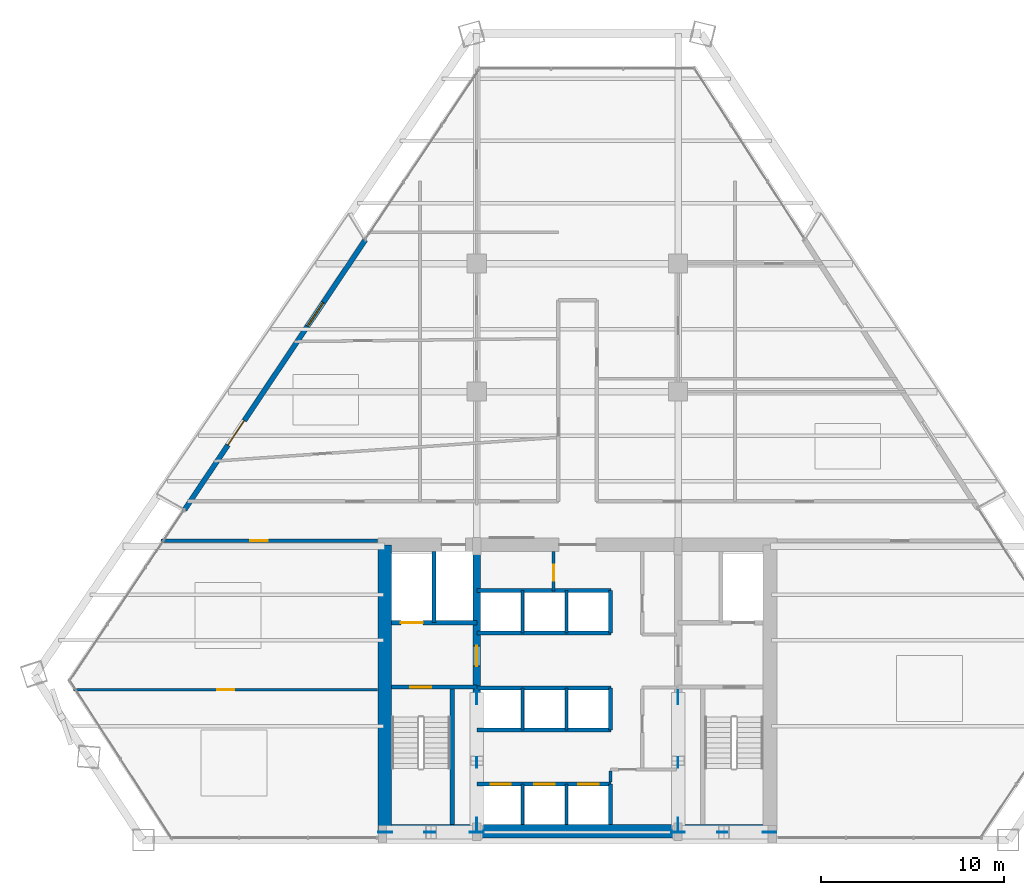
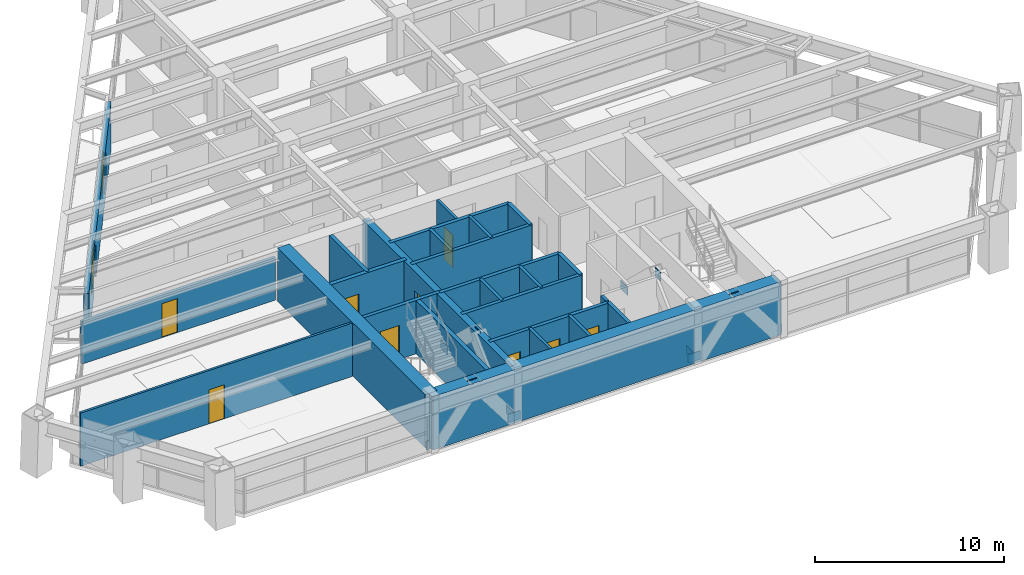
# One storey, part 10 of 14: 26 walls, 12 plates, 10 doors, 1 window, 11 openings.
"""IFC4 building model written with IfcOpenShell, lengths in metres."""

import ifcopenshell
import ifcopenshell.guid

model = None  # the IFC model being written
_history = None  # IfcOwnerHistory: only IFC2X3 demands one
_inside = {}  # id of a spatial element -> (the spatial element, [elements in it])
_under = {}  # id of a project, library or spatial element -> (it, [spatial elements below it])
_declared = {}  # id of a project -> (the project, [libraries it declares])
_typed = {}  # id of a type object -> (the type object, [elements of that type])
_made_of = {}  # id of a material, layer set ... -> (it, [elements and type objects made of it])


def new_model(schema):
    """Start an empty IFC model of exactly this schema.

    Asked for "IFC4X3", IfcOpenShell would pick the latest addendum, in which some entities
    have other attributes; the version numbers below select the first issue.
    IFC2X3 requires an IfcOwnerHistory on every rooted entity: one is made here for all.
    """
    global model, _history
    if schema == "IFC4X3":
        model = ifcopenshell.file(schema_version=(4, 3, 0, 0))
    else:
        model = ifcopenshell.file(schema=schema)
    _inside.clear()
    _under.clear()
    _declared.clear()
    _typed.clear()
    _made_of.clear()
    _history = None
    if model.schema == "IFC2X3":
        org = make("IfcOrganization", Name="unknown")
        user = make(
            "IfcPersonAndOrganization",
            ThePerson=make("IfcPerson", FamilyName="unknown"),
            TheOrganization=org,
        )
        app = make(
            "IfcApplication",
            ApplicationDeveloper=org,
            Version="unknown",
            ApplicationFullName="unknown",
            ApplicationIdentifier="unknown",
        )
        _history = make(
            "IfcOwnerHistory",
            OwningUser=user,
            OwningApplication=app,
            ChangeAction="ADDED",
            CreationDate=0,
        )
    return model


def make(cls, **values):
    """One entity of the class cls with the attributes given. An attribute that is None is left unset."""
    return model.create_entity(
        cls, **{name: value for name, value in values.items() if value is not None}
    )


def rooted(cls, **values):
    """An entity with a GlobalId (a new one), such as an element, a storey or a relation."""
    return make(cls, GlobalId=ifcopenshell.guid.new(), OwnerHistory=_history, **values)


def si_unit(unit_type, name, prefix=None):
    """IfcSIUnit, for example si_unit("LENGTHUNIT", "METRE", prefix="MILLI")."""
    return make("IfcSIUnit", UnitType=unit_type, Prefix=prefix, Name=name)


def assignment(units):
    """IfcUnitAssignment: the units of a project."""
    return None if units is None else make("IfcUnitAssignment", Units=units)


def point(xyz):
    """IfcCartesianPoint."""
    return None if xyz is None else make("IfcCartesianPoint", Coordinates=xyz)


def direction(xyz):
    """IfcDirection."""
    return None if xyz is None else make("IfcDirection", DirectionRatios=xyz)


def frame(location, z_axis=None, x_axis=None):
    """IfcAxis2Placement3D, a coordinate frame: its origin and axes. An axis left out is left unset."""
    return make(
        "IfcAxis2Placement3D",
        Location=point(location),
        Axis=direction(z_axis),
        RefDirection=direction(x_axis),
    )


def frame_2d(location, x_axis=None):
    """IfcAxis2Placement2D, a coordinate frame in the plane: its origin and x axis."""
    return make(
        "IfcAxis2Placement2D", Location=point(location), RefDirection=direction(x_axis)
    )


def origin():
    """The frame at (0, 0, 0) with its axes left unset."""
    return frame((0.0, 0.0, 0.0))


def origin_2d():
    """The frame at (0, 0) in the plane with its x axis left unset."""
    return frame_2d((0.0, 0.0))


def place(relative_to, where):
    """IfcLocalPlacement: puts the frame where relative to a parent placement (None: the world)."""
    return make(
        "IfcLocalPlacement", PlacementRelTo=relative_to, RelativePlacement=where
    )


def context(
    kind, dimensions, precision=None, world=None, true_north=None, identifier=None
):
    """IfcGeometricRepresentationContext, for example the 3D "Model" context."""
    return make(
        "IfcGeometricRepresentationContext",
        ContextIdentifier=identifier,
        ContextType=kind,
        CoordinateSpaceDimension=dimensions,
        Precision=precision,
        WorldCoordinateSystem=world,
        TrueNorth=true_north,
    )


def subcontext(parent, identifier, kind, view, scale=None):
    """IfcGeometricRepresentationSubContext, for example "Body" below "Model"."""
    return make(
        "IfcGeometricRepresentationSubContext",
        ContextIdentifier=identifier,
        ContextType=kind,
        ParentContext=parent,
        TargetScale=scale,
        TargetView=view,
    )


def project(units=None, contexts=None):
    """IfcProject with its units and contexts."""
    return rooted(
        "IfcProject",
        Name="project",
        RepresentationContexts=contexts,
        UnitsInContext=assignment(units),
    )


def spatial(cls, under=None, at=None, **own):
    """A site, building, storey or space (cls), placed at a placement, below another one or the project."""
    s = rooted(cls, ObjectPlacement=at, **own)
    if under is not None:
        _under.setdefault(under.id(), (under, []))[1].append(s)
    return s


def profile(cls, at=None, kind="AREA", **sizes):
    """A parametric profile (cls). Its sizes go by their IFC names, for example OverallWidth=200.0."""
    return make(cls, ProfileType=kind, Position=at, **sizes)


def rectangle(**sizes):
    """IfcRectangleProfileDef."""
    return profile("IfcRectangleProfileDef", **sizes)


def extrude(swept, where, along, depth):
    """IfcExtrudedAreaSolid: the profile swept, set in the frame where, extruded along a direction by depth."""
    return make(
        "IfcExtrudedAreaSolid",
        SweptArea=swept,
        Position=where,
        ExtrudedDirection=direction(along),
        Depth=depth,
    )


def shape(context_of_items, identifier, shape_type, items):
    """IfcShapeRepresentation: the items that make up one representation, for example the "Body"."""
    return make(
        "IfcShapeRepresentation",
        ContextOfItems=context_of_items,
        RepresentationIdentifier=identifier,
        RepresentationType=shape_type,
        Items=items,
    )


def source(mapping_origin, context_of_items, identifier, shape_type, items):
    """IfcRepresentationMap: a shape defined once, which mapped items show again and again."""
    return make(
        "IfcRepresentationMap",
        MappingOrigin=mapping_origin,
        MappedRepresentation=shape(context_of_items, identifier, shape_type, items),
    )


def transform(
    local_origin,
    x_axis=None,
    y_axis=None,
    z_axis=None,
    scale=None,
    scale2=None,
    scale3=None,
    uniform=True,
):
    """IfcCartesianTransformationOperator3D, or its non-uniform kind. x_axis, y_axis, z_axis: its Axis1, 2, 3."""
    if uniform:
        return make(
            "IfcCartesianTransformationOperator3D",
            Axis1=direction(x_axis),
            Axis2=direction(y_axis),
            LocalOrigin=point(local_origin),
            Scale=scale,
            Axis3=direction(z_axis),
        )
    return make(
        "IfcCartesianTransformationOperator3DnonUniform",
        Axis1=direction(x_axis),
        Axis2=direction(y_axis),
        LocalOrigin=point(local_origin),
        Scale=scale,
        Axis3=direction(z_axis),
        Scale2=scale2,
        Scale3=scale3,
    )


def mapped(mapping_source, mapping_target):
    """IfcMappedItem: shows the shape of a source again, moved by a transform."""
    return make(
        "IfcMappedItem", MappingSource=mapping_source, MappingTarget=mapping_target
    )


def material(Name=None, Category=None):
    """IfcMaterial."""
    return make("IfcMaterial", Name=Name, Category=Category)


def layer(
    of_material, thickness, ventilated=None, Name=None, Category=None, Priority=None
):
    """IfcMaterialLayer: one layer of a wall or slab, of a material (None: an air gap)."""
    return make(
        "IfcMaterialLayer",
        Material=of_material,
        LayerThickness=thickness,
        IsVentilated=ventilated,
        Name=Name,
        Category=Category,
        Priority=Priority,
    )


def layer_set(layers, Name=None):
    """IfcMaterialLayerSet."""
    return make("IfcMaterialLayerSet", MaterialLayers=layers, LayerSetName=Name)


def made_of(thing, what):
    """Note that an element or type object is made of a material, layer set ...; save() writes the relation."""
    if what is not None:
        _made_of.setdefault(what.id(), (what, []))[1].append(thing)
    return thing


def type_object(cls, material=None, **own):
    """A type object (cls), such as IfcWallType, which elements share."""
    return made_of(rooted(cls, **own), material)


def type_shapes(of_type, sources):
    """Give a type object the sources (RepresentationMaps) that its elements show as mapped items."""
    of_type.RepresentationMaps = sources


def element(
    cls,
    number,
    at=None,
    inside=None,
    cuts=None,
    type_object=None,
    material=None,
    context=None,
    identifier="Body",
    shape_type=None,
    held_by="IfcProductDefinitionShape",
    body=None,
    shapes=None,
    **own,
):
    """One element of the class cls, such as IfcWall. Its Tag is "e" and its number.

    at: its placement. inside: the storey or other place that contains it. cuts: it is an
    opening in that element (IfcRelVoidsElement). A single representation is given by context,
    identifier, shape_type and body (its items); several are given by shapes. held_by: the class
    of the entity that holds the representations. save() writes the other relations.
    """
    e = rooted(cls, Tag="e%d" % number, ObjectPlacement=at, **own)
    if body is not None:
        shapes = [shape(context, identifier, shape_type, body)]
    if shapes is not None:
        e.Representation = make(held_by, Representations=shapes)
    if inside is not None:
        _inside.setdefault(inside.id(), (inside, []))[1].append(e)
    if cuts is not None:
        rooted(
            "IfcRelVoidsElement", RelatingBuildingElement=cuts, RelatedOpeningElement=e
        )
    if type_object is not None:
        _typed.setdefault(type_object.id(), (type_object, []))[1].append(e)
    return made_of(e, material)


def fill(opening, filler):
    """IfcRelFillsElement: the door or window that sits in an opening."""
    return rooted(
        "IfcRelFillsElement",
        RelatingOpeningElement=opening,
        RelatedBuildingElement=filler,
    )


def aggregate(whole, parts):
    """IfcRelAggregates: a whole, such as a stair, and the parts it consists of."""
    return rooted("IfcRelAggregates", RelatingObject=whole, RelatedObjects=parts)


def save(model, path):
    """Write the relations noted so far, then the file.

    IfcRelAggregates (storeys below a building ...), IfcRelContainedInSpatialStructure (elements
    in a storey), IfcRelDefinesByType, IfcRelAssociatesMaterial and IfcRelDeclares: one each for
    every whole, place, type object, material and project.
    """
    for whole, parts in _under.values():
        aggregate(whole, parts)
    for where, things in _inside.values():
        rooted(
            "IfcRelContainedInSpatialStructure",
            RelatedElements=things,
            RelatingStructure=where,
        )
    for kind, things in _typed.values():
        rooted("IfcRelDefinesByType", RelatedObjects=things, RelatingType=kind)
    for what, things in _made_of.values():
        rooted("IfcRelAssociatesMaterial", RelatedObjects=things, RelatingMaterial=what)
    for by, libraries in _declared.values():
        rooted("IfcRelDeclares", RelatingContext=by, RelatedDefinitions=libraries)
    model.write(path)


model = new_model("IFC4")

# Units and contexts
model_context = context("Model", 3, precision=1e-05, world=origin(), true_north=direction((0.0, 1.0)))
body_context = subcontext(model_context, "Body", "Model", "MODEL_VIEW")
ifc_project = project(units=[si_unit("LENGTHUNIT", "METRE"), si_unit("AREAUNIT", "SQUARE_METRE"), si_unit("VOLUMEUNIT", "CUBIC_METRE"), si_unit("PLANEANGLEUNIT", "RADIAN"), si_unit("MASSUNIT", "GRAM", prefix="KILO")], contexts=[model_context])

# Site, building, storey
site_placement = place(None, origin())
site = spatial("IfcSite", under=ifc_project, at=site_placement, CompositionType="ELEMENT")
building_placement = place(site_placement, origin())
building = spatial("IfcBuilding", under=site, at=building_placement, Name="Varnakhor Terracotta Tower", CompositionType="ELEMENT")
storey_placement = place(building_placement, frame((0.0, 0.0, 102.5)))
storey = spatial("IfcBuildingStorey", under=building, at=storey_placement, Name="L25", CompositionType="ELEMENT", Elevation=102.5)

# Plates
ifc_material_1 = material(Name="Steel S460", Category="steel")
ifc_layer_1 = layer(ifc_material_1, 0.050048828125, Name="Steel S460")
ifc_layer_set_1 = layer_set([ifc_layer_1], Name="Steel S460")
plate_type = type_object("IfcPlateType", Name="PLT-GUSSET-50", PredefinedType="USERDEFINED", material=ifc_layer_set_1)
shared_shape_1 = source(origin(), body_context, "Body", "SweptSolid", [
    extrude(rectangle(XDim=0.75, YDim=0.0400390625, at=origin_2d()), origin(), (0.0, 0.0, 1.0), 0.550048828125),
])
type_shapes(plate_type, [shared_shape_1])
for number, where, z_axis, x_axis, name in (
    (1, (-10.5, 0.419921875, -0.09521484375), (0.0, 0.0, 1.0), (1.0, 0.0, 0.0), "L25 Core Brace Embed Plate CSWA"),
    (2, (-5.5, 0.419921875, -0.09521484375), (0.0, 0.0, 1.0), (1.0, 0.0, 0.0), "L25 Core Brace Embed Plate CSWB"),
    (3, (5.5, 0.419921875, -0.09521484375), (0.0, 0.0, 1.0), (1.0, 0.0, 0.0), "L25 Core Brace Embed Plate CSEA"),
    (4, (10.5, 0.419921875, -0.09521484375), (0.0, 0.0, 1.0), (1.0, 0.0, 0.0), "L25 Core Brace Embed Plate CSEB"),
    (5, (-5.5, 0.85009765625, -0.09521484375), (0.0, 0.0, 1.0), (0.0, 1.0, 0.0), "L25 Core Brace Embed Plate CWWA"),
    (6, (-5.5, 7.800048828125, -0.09521484375), (0.0, 0.0, 1.0), (0.0, 1.0, 0.0), "L25 Core Brace Embed Plate CWWB"),
    (7, (5.5, 0.85009765625, -0.09521484375), (0.0, 0.0, 1.0), (0.0, 1.0, 0.0), "L25 Core Brace Embed Plate CWEA"),
    (8, (5.5, 7.800048828125, -0.09521484375), (0.0, 0.0, 1.0), (0.0, 1.0, 0.0), "L25 Core Brace Embed Plate CWEB"),
):
    element("IfcPlate", number, at=place(storey_placement, frame(where, z_axis=z_axis, x_axis=x_axis)), inside=storey, type_object=plate_type, Name=name, ObjectType="GUSSET PLATE", PredefinedType="USERDEFINED", context=body_context, shape_type="MappedRepresentation", body=[
        mapped(shared_shape_1, transform((0.0, 0.0, 0.0), scale=1.0)),
    ])
shared_shape_2 = source(origin(), body_context, "Body", "SweptSolid", [
    extrude(rectangle(XDim=0.580078125, YDim=0.0400390625, at=origin_2d()), origin(), (0.0, 0.0, 1.0), 0.580078125),
])
for number, where, z_axis, x_axis, name in (
    (9, (-8.072509765625, 0.419921875, 2.914306640625), (0.0, 0.0, 1.0), (1.0, 0.0, 0.0), "L25 Brace End Connection Plate 100"),
    (10, (7.927490234375, 0.419921875, 2.914306640625), (0.0, 0.0, 1.0), (1.0, 0.0, 0.0), "L25 Brace End Connection Plate 101"),
    (11, (-5.5, 4.238037109375, 2.92724609375), (0.0, 0.0, 1.0), (0.0, 1.0, 0.0), "L25 Brace End Connection Plate 102"),
    (12, (5.5, 4.238037109375, 2.92724609375), (0.0, 0.0, 1.0), (0.0, 1.0, 0.0), "L25 Brace End Connection Plate 103"),
):
    element("IfcPlate", number, at=place(storey_placement, frame(where, z_axis=z_axis, x_axis=x_axis)), inside=storey, type_object=plate_type, Name=name, ObjectType="GUSSET PLATE", PredefinedType="USERDEFINED", context=body_context, shape_type="MappedRepresentation", body=[
        mapped(shared_shape_2, transform((0.0, 0.0, 0.0), scale=1.0)),
    ])

# Walls
ifc_material_2 = material(Name="Concrete C60/75", Category="concrete")
ifc_layer_2 = layer(ifc_material_2, 0.75, Name="Concrete C60/75")
ifc_layer_set_2 = layer_set([ifc_layer_2], Name="Concrete C60/75")
wall_type_1 = type_object("IfcWallType", Name="WAL-CORE-750", PredefinedType="SHEAR", material=ifc_layer_set_2)
wall_1_placement = place(storey_placement, frame((-10.64990234375, 0.47509765625, 0.0), z_axis=(0.0, 0.0, 1.0), x_axis=(1.0, 0.0, 0.0)))
element("IfcWall", 13, at=wall_1_placement, inside=storey, type_object=wall_type_1, Name="L25 South Core Shear Wall", PredefinedType="SHEAR", context=body_context, shape_type="SweptSolid", body=[
    extrude(rectangle(XDim=21.2998046875, YDim=0.75, at=frame_2d((10.64990234375, 0.0))), origin(), (0.0, 0.0, 1.0), 3.449951171875),
])
wall_2_placement = place(storey_placement, frame((-10.52490234375, 0.47509765625, 0.0), z_axis=(0.0, 0.0, 1.0), x_axis=(0.0, 1.0, 0.0)))
element("IfcWall", 14, at=wall_2_placement, inside=storey, type_object=wall_type_1, Name="L25 West Core Shear Wall", PredefinedType="SHEAR", context=body_context, shape_type="SweptSolid", body=[
    extrude(rectangle(XDim=15.64990234375, YDim=0.75, at=frame_2d((7.824951171875, 0.0))), origin(), (0.0, 0.0, 1.0), 3.449951171875),
])

# Wall, opening, door
ifc_material_3 = material(Name="Concrete C50/60", Category="concrete")
ifc_layer_3 = layer(ifc_material_3, 0.39990234375, Name="Concrete C50/60")
ifc_layer_set_3 = layer_set([ifc_layer_3], Name="Concrete C50/60")
wall_type_2 = type_object("IfcWallType", Name="WAL-CORE-WEB-400", PredefinedType="SHEAR", material=ifc_layer_set_3)
wall_3_placement = place(storey_placement, frame((-5.5, 0.47509765625, 0.0), z_axis=(0.0, 0.0, 1.0), x_axis=(0.0, 1.0, 0.0)))
wall_3 = element("IfcWall", 15, at=wall_3_placement, inside=storey, type_object=wall_type_2, Name="L25 West Core Web Shear Wall", PredefinedType="SHEAR", context=body_context, shape_type="SweptSolid", body=[
    extrude(rectangle(XDim=15.64990234375, YDim=0.39990234375, at=frame_2d((7.824951171875, 0.0))), origin(), (0.0, 0.0, 1.0), 3.449951171875),
])
opening_1_placement = place(wall_3_placement, frame((9.02490234375, 0.0, 0.0)))
opening_1 = element("IfcOpeningElement", 16, at=opening_1_placement, cuts=wall_3, Name="Opening DR-25", PredefinedType="OPENING", context=body_context, shape_type="SweptSolid", body=[
    extrude(rectangle(XDim=1.10009765625, YDim=2.199951171875, at=frame_2d((0.550048828125, 1.10009765625))), frame((0.0, 0.2099609375, 0.0), z_axis=(0.0, -1.0, 0.0), x_axis=(1.0, 0.0, 0.0)), (0.0, 0.0, 1.0), 0.419921875),
])
ifc_material_4 = material(Name="Firefighting Lobby Self-Closing Fire Door", Category="steel")
door_type_1 = type_object("IfcDoorType", Name="DR-FFL-1100X2200", OperationType="NOTDEFINED", PredefinedType="DOOR", material=ifc_material_4)
shared_shape_3 = source(origin(), body_context, "Body", "SweptSolid", [
    extrude(rectangle(XDim=1.10009765625, YDim=2.199951171875, at=frame_2d((0.550048828125, 1.10009765625))), frame((0.0, 0.02490234375, 0.0), z_axis=(0.0, -1.0, 0.0), x_axis=(1.0, 0.0, 0.0)), (0.0, 0.0, 1.0), 0.050048828125),
])
type_shapes(door_type_1, [shared_shape_3])
door_1_placement = place(opening_1_placement, origin())
door_1 = element("IfcDoor", 17, at=door_1_placement, inside=storey, type_object=door_type_1, Name="L25 West Firefighting Lobby Door", OperationType="SINGLE_SWING_LEFT", OverallHeight=2.199951171875, OverallWidth=1.10009765625, PredefinedType="DOOR", context=body_context, shape_type="MappedRepresentation", body=[
    mapped(shared_shape_3, transform((0.0, 0.0, 0.0), scale=1.0)),
])
fill(opening_1, door_1)

ifc_material_5 = material(Name="Fire-Rated Gypsum Stud Partition", Category="gypsum")
ifc_layer_4 = layer(ifc_material_5, 0.18505859375, Name="Fire-Rated Gypsum Stud Partition")
ifc_layer_set_4 = layer_set([ifc_layer_4], Name="Fire-Rated Gypsum Stud Partition")
wall_type_3 = type_object("IfcWallType", Name="WAL-CORR-185", PredefinedType="PARTITIONING", material=ifc_layer_set_4)
wall_4_placement = place(storey_placement, frame((-22.76220703125, 16.35009765625, 0.0), z_axis=(0.0, 0.0, 1.0), x_axis=(1.0, 0.0, 0.0)))
wall_4 = element("IfcWall", 18, at=wall_4_placement, inside=storey, type_object=wall_type_3, Name="L25 South West Corridor Wall", PredefinedType="PARTITIONING", context=body_context, shape_type="SweptSolid", body=[
    extrude(rectangle(XDim=11.84228515625, YDim=0.18505859375, at=frame_2d((5.921142578125, 0.0))), origin(), (0.0, 0.0, 1.0), 2.7470703125),
])
opening_2_placement = place(wall_4_placement, frame((4.887939453125, 0.0, 0.0)))
opening_2 = element("IfcOpeningElement", 19, at=opening_2_placement, cuts=wall_4, Name="Opening DR-94", PredefinedType="OPENING", context=body_context, shape_type="SweptSolid", body=[
    extrude(rectangle(XDim=0.949951171875, YDim=2.199951171875, at=frame_2d((0.47509765625, 1.10009765625))), frame((0.0, 0.1025390625, 0.0), z_axis=(0.0, -1.0, 0.0), x_axis=(1.0, 0.0, 0.0)), (0.0, 0.0, 1.0), 0.205078125),
])
ifc_material_6 = material(Name="Acoustic Glazed-Vision Timber Office Door", Category="wood")
door_type_2 = type_object("IfcDoorType", Name="DR-OFF-950X2200", OperationType="NOTDEFINED", PredefinedType="DOOR", material=ifc_material_6)
shared_shape_4 = source(origin(), body_context, "Body", "SweptSolid", [
    extrude(rectangle(XDim=0.949951171875, YDim=2.199951171875, at=frame_2d((0.47509765625, 1.10009765625))), frame((0.0, 0.02490234375, 0.0), z_axis=(0.0, -1.0, 0.0), x_axis=(1.0, 0.0, 0.0)), (0.0, 0.0, 1.0), 0.050048828125),
])
type_shapes(door_type_2, [shared_shape_4])
door_2_placement = place(opening_2_placement, origin())
door_2 = element("IfcDoor", 20, at=door_2_placement, inside=storey, type_object=door_type_2, Name="L25 SW Suite Door", OperationType="SINGLE_SWING_RIGHT", OverallHeight=2.199951171875, OverallWidth=0.949951171875, PredefinedType="DOOR", context=body_context, shape_type="MappedRepresentation", body=[
    mapped(shared_shape_4, transform((0.0, 0.0, 0.0), scale=1.0)),
])
fill(opening_2, door_2)

# Wall, openings, door, window
ifc_material_7 = material(Name="Extruded Architectural Terracotta Assembly", Category="masonry")
ifc_layer_5 = layer(ifc_material_7, 0.280029296875, Name="Extruded Architectural Terracotta Assembly")
ifc_layer_set_5 = layer_set([ifc_layer_5], Name="Extruded Architectural Terracotta Assembly")
wall_type_4 = type_object("IfcWallType", Name="WAL-EXT-TERRACOTTA-280", PredefinedType="SOLIDWALL", material=ifc_layer_set_5)
wall_5_placement = place(storey_placement, frame((-21.47509765625, 18.0380859375, 0.0), z_axis=(0.0, 0.0, 1.0), x_axis=(0.556538112224, 0.830822080618, 0.0)))
wall_5 = element("IfcWall", 21, at=wall_5_placement, inside=storey, type_object=wall_type_4, Name="L25 W Loggia Insulated Terracotta Wall", PredefinedType="SOLIDWALL", context=body_context, shape_type="SweptSolid", body=[
    extrude(rectangle(XDim=17.766357421875, YDim=0.280029296875, at=frame_2d((8.88330078125, 0.0))), origin(), (0.0, 0.0, 1.0), 3.030029296875),
])
opening_3_placement = place(wall_5_placement, frame((4.263916015625, 0.0, 0.0)))
opening_3 = element("IfcOpeningElement", 22, at=opening_3_placement, cuts=wall_5, Name="Opening DR-62", PredefinedType="OPENING", context=body_context, shape_type="SweptSolid", body=[
    extrude(rectangle(XDim=1.60009765625, YDim=2.35009765625, at=frame_2d((0.800048828125, 1.175048828125))), frame((0.0, 0.14990234375, 0.0), z_axis=(0.0, -1.0, 0.0), x_axis=(1.0, 0.0, 0.0)), (0.0, 0.0, 1.0), 0.300048828125),
])
opening_4_placement = place(wall_5_placement, frame((12.081298828125, 0.0, 0.89990234375)))
opening_4 = element("IfcOpeningElement", 23, at=opening_4_placement, cuts=wall_5, Name="Opening WN-57", PredefinedType="OPENING", context=body_context, shape_type="SweptSolid", body=[
    extrude(rectangle(XDim=1.550048828125, YDim=1.85009765625, at=frame_2d((0.77490234375, 0.925048828125))), frame((0.0, 0.14990234375, 0.0), z_axis=(0.0, -1.0, 0.0), x_axis=(1.0, 0.0, 0.0)), (0.0, 0.0, 1.0), 0.300048828125),
])
ifc_material_8 = material(Name="Thermally Broken Sliding Glass Loggia Door", Category="glass")
door_type_3 = type_object("IfcDoorType", Name="DR-EXT-LOGGIA-1600X2350", OperationType="NOTDEFINED", PredefinedType="DOOR", material=ifc_material_8)
shared_shape_5 = source(origin(), body_context, "Body", "SweptSolid", [
    extrude(rectangle(XDim=1.60009765625, YDim=2.35009765625, at=frame_2d((0.800048828125, 1.175048828125))), frame((0.0, 0.02490234375, 0.0), z_axis=(0.0, -1.0, 0.0), x_axis=(1.0, 0.0, 0.0)), (0.0, 0.0, 1.0), 0.050048828125),
])
type_shapes(door_type_3, [shared_shape_5])
door_3_placement = place(opening_3_placement, origin())
door_3 = element("IfcDoor", 24, at=door_3_placement, inside=storey, type_object=door_type_3, Name="L25 W Recessed Loggia Sliding Door", OperationType="SLIDING_TO_LEFT", OverallHeight=2.35009765625, OverallWidth=1.60009765625, PredefinedType="DOOR", context=body_context, shape_type="MappedRepresentation", body=[
    mapped(shared_shape_5, transform((0.0, 0.0, 0.0), scale=1.0)),
])
fill(opening_3, door_3)
ifc_material_9 = material(Name="Solar-Control Low-E Insulated Glass Unit", Category="glass")
window_type = type_object("IfcWindowType", Name="WIN-OFF-1650X2100", PartitioningType="SINGLE_PANEL", PredefinedType="WINDOW", material=ifc_material_9)
shared_shape_6 = source(origin(), body_context, "Body", "SweptSolid", [
    extrude(rectangle(XDim=1.550048828125, YDim=1.85009765625, at=frame_2d((0.77490234375, 0.925048828125))), frame((0.0, 0.030029296875, 0.0), z_axis=(0.0, -1.0, 0.0), x_axis=(1.0, 0.0, 0.0)), (0.0, 0.0, 1.0), 0.06005859375),
])
type_shapes(window_type, [shared_shape_6])
window_placement = place(opening_4_placement, origin())
window = element("IfcWindow", 25, at=window_placement, inside=storey, type_object=window_type, Name="L25 W Facet Punched Window", OverallHeight=1.85009765625, OverallWidth=1.550048828125, PartitioningType="SINGLE_PANEL", PredefinedType="WINDOW", context=body_context, shape_type="MappedRepresentation", body=[
    mapped(shared_shape_6, transform((0.0, 0.0, 0.0), scale=1.0)),
])
fill(opening_4, window)

# Wall, opening, door
ifc_material_10 = material(Name="Concrete C40/50", Category="concrete")
ifc_layer_6 = layer(ifc_material_10, 0.219970703125, Name="Concrete C40/50")
ifc_layer_set_6 = layer_set([ifc_layer_6], Name="Concrete C40/50")
wall_type_5 = type_object("IfcWallType", Name="WAL-FFLOBBY-220", PredefinedType="SOLIDWALL", material=ifc_layer_set_6)
wall_6_placement = place(storey_placement, frame((-5.5, 8.35009765625, 0.0), z_axis=(0.0, 0.0, 1.0), x_axis=(-1.0, 0.0, 0.0)))
wall_6 = element("IfcWall", 26, at=wall_6_placement, inside=storey, type_object=wall_type_5, Name="L25 West Firefighting Lobby Stair Wall", PredefinedType="SOLIDWALL", context=body_context, shape_type="SweptSolid", body=[
    extrude(rectangle(XDim=4.64990234375, YDim=0.219970703125, at=frame_2d((2.324951171875, 0.0))), origin(), (0.0, 0.0, 1.0), 3.449951171875),
])
opening_5_placement = place(wall_6_placement, frame((2.5, 0.0, 0.0)))
opening_5 = element("IfcOpeningElement", 27, at=opening_5_placement, cuts=wall_6, Name="Opening DR-34", PredefinedType="OPENING", context=body_context, shape_type="SweptSolid", body=[
    extrude(rectangle(XDim=1.14990234375, YDim=2.199951171875, at=frame_2d((0.574951171875, 1.10009765625))), frame((0.0, 0.1201171875, 0.0), z_axis=(0.0, -1.0, 0.0), x_axis=(1.0, 0.0, 0.0)), (0.0, 0.0, 1.0), 0.239990234375),
])
ifc_material_11 = material(Name="Self-Closing Smoke-Sealed Steel Fire Door", Category="steel")
door_type_4 = type_object("IfcDoorType", Name="DR-STAIR-1150X2200", OperationType="NOTDEFINED", PredefinedType="DOOR", material=ifc_material_11)
shared_shape_7 = source(origin(), body_context, "Body", "SweptSolid", [
    extrude(rectangle(XDim=1.14990234375, YDim=2.199951171875, at=frame_2d((0.574951171875, 1.10009765625))), frame((0.0, 0.02490234375, 0.0), z_axis=(0.0, -1.0, 0.0), x_axis=(1.0, 0.0, 0.0)), (0.0, 0.0, 1.0), 0.050048828125),
])
type_shapes(door_type_4, [shared_shape_7])
door_4_placement = place(opening_5_placement, origin())
door_4 = element("IfcDoor", 28, at=door_4_placement, inside=storey, type_object=door_type_4, Name="L25 Exit Stair ST-1 Fire Door", OperationType="SINGLE_SWING_RIGHT", OverallHeight=2.199951171875, OverallWidth=1.14990234375, PredefinedType="DOOR", context=body_context, shape_type="MappedRepresentation", body=[
    mapped(shared_shape_7, transform((0.0, 0.0, 0.0), scale=1.0)),
])
fill(opening_5, door_4)

ifc_material_12 = material(Name="Acoustic Metal-Stud Partition", Category="gypsum")
ifc_layer_7 = layer(ifc_material_12, 0.139892578125, Name="Acoustic Metal-Stud Partition")
ifc_layer_set_7 = layer_set([ifc_layer_7], Name="Acoustic Metal-Stud Partition")
wall_type_6 = type_object("IfcWallType", Name="WAL-PART-140", PredefinedType="PARTITIONING", material=ifc_layer_set_7)
wall_7_placement = place(storey_placement, frame((-27.534423828125, 8.199951171875, 0.0), z_axis=(0.0, 0.0, 1.0), x_axis=(1.0, 0.0, 0.0)))
wall_7 = element("IfcWall", 29, at=wall_7_placement, inside=storey, type_object=wall_type_6, Name="L25 South West Cut 1", PredefinedType="PARTITIONING", context=body_context, shape_type="SweptSolid", body=[
    extrude(rectangle(XDim=16.614501953125, YDim=0.139892578125, at=frame_2d((8.30712890625, 0.0))), origin(), (0.0, 0.0, 1.0), 3.44189453125),
])
opening_6_placement = place(wall_7_placement, frame((7.841064453125, 0.0, 0.0)))
opening_6 = element("IfcOpeningElement", 30, at=opening_6_placement, cuts=wall_7, Name="Opening DR-94", PredefinedType="OPENING", context=body_context, shape_type="SweptSolid", body=[
    extrude(rectangle(XDim=0.949951171875, YDim=2.199951171875, at=frame_2d((0.47509765625, 1.10009765625))), frame((0.0, 0.080078125, 0.0), z_axis=(0.0, -1.0, 0.0), x_axis=(1.0, 0.0, 0.0)), (0.0, 0.0, 1.0), 0.159912109375),
])
door_5_placement = place(opening_6_placement, origin())
door_5 = element("IfcDoor", 31, at=door_5_placement, inside=storey, type_object=door_type_2, Name="L25 South West Executive Office Door", OperationType="SINGLE_SWING_RIGHT", OverallHeight=2.199951171875, OverallWidth=0.949951171875, PredefinedType="DOOR", context=body_context, shape_type="MappedRepresentation", body=[
    mapped(shared_shape_4, transform((0.0, 0.0, 0.0), scale=1.0)),
])
fill(opening_6, door_5)

# Walls
ifc_layer_8 = layer(ifc_material_10, 0.179931640625, Name="Concrete C40/50")
ifc_layer_set_8 = layer_set([ifc_layer_8], Name="Concrete C40/50")
wall_type_7 = type_object("IfcWallType", Name="WAL-SHAFT-180", PredefinedType="SOLIDWALL", material=ifc_layer_set_8)
for number, where, z_axis, x_axis, name in (
    (32, (-3.0, 0.85009765625, 0.0), (0.0, 0.0, 1.0), (0.0, 1.0, 0.0), "L25 PL-1A Divider"),
    (33, (-0.60009765625, 0.85009765625, 0.0), (0.0, 0.0, 1.0), (0.0, 1.0, 0.0), "L25 PL-1B Divider"),
):
    element("IfcWall", number, at=place(storey_placement, frame(where, z_axis=z_axis, x_axis=x_axis)), inside=storey, type_object=wall_type_7, Name=name, PredefinedType="SOLIDWALL", context=body_context, shape_type="SweptSolid", body=[
        extrude(rectangle(XDim=2.199951171875, YDim=0.179931640625, at=frame_2d((1.10009765625, 0.0))), origin(), (0.0, 0.0, 1.0), 3.449951171875),
    ])
for number, where, z_axis, x_axis, name in (
    (34, (-3.0, 6.0, 0.0), (0.0, 0.0, 1.0), (0.0, 1.0, 0.0), "L25 PL-2A Divider"),
    (35, (-0.60009765625, 6.0, 0.0), (0.0, 0.0, 1.0), (0.0, 1.0, 0.0), "L25 PL-2B Divider"),
    (36, (-3.0, 11.320068359375, 0.0), (0.0, 0.0, 1.0), (0.0, 1.0, 0.0), "L25 PL-3A Divider"),
    (37, (-0.60009765625, 11.320068359375, 0.0), (0.0, 0.0, 1.0), (0.0, 1.0, 0.0), "L25 PL-3B Divider"),
):
    element("IfcWall", number, at=place(storey_placement, frame(where, z_axis=z_axis, x_axis=x_axis)), inside=storey, type_object=wall_type_7, Name=name, PredefinedType="SOLIDWALL", context=body_context, shape_type="SweptSolid", body=[
        extrude(rectangle(XDim=2.300048828125, YDim=0.179931640625, at=frame_2d((1.14990234375, 0.0))), origin(), (0.0, 0.0, 1.0), 3.449951171875),
    ])
ifc_layer_9 = layer(ifc_material_10, 0.219970703125, Name="Concrete C40/50")
ifc_layer_set_9 = layer_set([ifc_layer_9], Name="Concrete C40/50")
wall_type_8 = type_object("IfcWallType", Name="WAL-SHAFT-220", PredefinedType="SOLIDWALL", material=ifc_layer_set_9)
wall_8_placement = place(storey_placement, frame((-7.840087890625, 11.8701171875, 0.0), z_axis=(0.0, 0.0, 1.0), x_axis=(0.0, 1.0, 0.0)))
element("IfcWall", 38, at=wall_8_placement, inside=storey, type_object=wall_type_8, Name="L25 Lift FFL-1 and SVL-1 Divider Wall", PredefinedType="SOLIDWALL", context=body_context, shape_type="SweptSolid", body=[
    extrude(rectangle(XDim=3.8798828125, YDim=0.219970703125, at=frame_2d((1.93994140625, 0.0))), origin(), (0.0, 0.0, 1.0), 3.449951171875),
])

# Wall, openings, doors
wall_9_placement = place(storey_placement, frame((-5.5, 3.050048828125, 0.0), z_axis=(0.0, 0.0, 1.0), x_axis=(1.0, 0.0, 0.0)))
wall_9 = element("IfcWall", 39, at=wall_9_placement, inside=storey, type_object=wall_type_8, Name="L25 Bank 1 Lift Shaft Wall", PredefinedType="SOLIDWALL", context=body_context, shape_type="SweptSolid", body=[
    extrude(rectangle(XDim=7.320068359375, YDim=0.219970703125, at=frame_2d((3.66015625, 0.0))), origin(), (0.0, 0.0, 1.0), 3.449951171875),
])
opening_7_placement = place(wall_9_placement, frame((0.75, 0.0, 0.0)))
opening_7 = element("IfcOpeningElement", 40, at=opening_7_placement, cuts=wall_9, Name="Opening LD-01", PredefinedType="OPENING", context=body_context, shape_type="SweptSolid", body=[
    extrude(rectangle(XDim=1.10009765625, YDim=2.199951171875, at=frame_2d((0.550048828125, 1.10009765625))), frame((0.0, 0.1201171875, 0.0), z_axis=(0.0, -1.0, 0.0), x_axis=(1.0, 0.0, 0.0)), (0.0, 0.0, 1.0), 0.239990234375),
])
opening_8_placement = place(wall_9_placement, frame((3.14990234375, 0.0, 0.0)))
opening_8 = element("IfcOpeningElement", 41, at=opening_8_placement, cuts=wall_9, Name="Opening LD-01", PredefinedType="OPENING", context=body_context, shape_type="SweptSolid", body=[
    extrude(rectangle(XDim=1.10009765625, YDim=2.199951171875, at=frame_2d((0.550048828125, 1.10009765625))), frame((0.0, 0.1201171875, 0.0), z_axis=(0.0, -1.0, 0.0), x_axis=(1.0, 0.0, 0.0)), (0.0, 0.0, 1.0), 0.239990234375),
])
opening_9_placement = place(wall_9_placement, frame((5.550048828125, 0.0, 0.0)))
opening_9 = element("IfcOpeningElement", 42, at=opening_9_placement, cuts=wall_9, Name="Opening LD-01", PredefinedType="OPENING", context=body_context, shape_type="SweptSolid", body=[
    extrude(rectangle(XDim=1.10009765625, YDim=2.199951171875, at=frame_2d((0.550048828125, 1.10009765625))), frame((0.0, 0.1201171875, 0.0), z_axis=(0.0, -1.0, 0.0), x_axis=(1.0, 0.0, 0.0)), (0.0, 0.0, 1.0), 0.239990234375),
])
ifc_material_13 = material(Name="Brushed Stainless Steel Sliding Lift Landing Door", Category="steel")
door_type_5 = type_object("IfcDoorType", Name="LD-PASS-1100X2200", OperationType="NOTDEFINED", PredefinedType="DOOR", material=ifc_material_13)
shared_shape_8 = source(origin(), body_context, "Body", "SweptSolid", [
    extrude(rectangle(XDim=1.10009765625, YDim=2.199951171875, at=frame_2d((0.550048828125, 1.10009765625))), frame((0.0, 0.02490234375, 0.0), z_axis=(0.0, -1.0, 0.0), x_axis=(1.0, 0.0, 0.0)), (0.0, 0.0, 1.0), 0.050048828125),
])
type_shapes(door_type_5, [shared_shape_8])
door_6_placement = place(opening_7_placement, origin())
door_6 = element("IfcDoor", 43, at=door_6_placement, inside=storey, type_object=door_type_5, Name="L25 Passenger Lift PL-1A Landing Door", OperationType="SLIDING_TO_RIGHT", OverallHeight=2.199951171875, OverallWidth=1.10009765625, PredefinedType="DOOR", context=body_context, shape_type="MappedRepresentation", body=[
    mapped(shared_shape_8, transform((0.0, 0.0, 0.0), scale=1.0)),
])
fill(opening_7, door_6)
door_7_placement = place(opening_8_placement, origin())
door_7 = element("IfcDoor", 44, at=door_7_placement, inside=storey, type_object=door_type_5, Name="L25 Passenger Lift PL-1B Landing Door", OperationType="SLIDING_TO_RIGHT", OverallHeight=2.199951171875, OverallWidth=1.10009765625, PredefinedType="DOOR", context=body_context, shape_type="MappedRepresentation", body=[
    mapped(shared_shape_8, transform((0.0, 0.0, 0.0), scale=1.0)),
])
fill(opening_8, door_7)
door_8_placement = place(opening_9_placement, origin())
door_8 = element("IfcDoor", 45, at=door_8_placement, inside=storey, type_object=door_type_5, Name="L25 Passenger Lift PL-1C Landing Door", OperationType="SLIDING_TO_RIGHT", OverallHeight=2.199951171875, OverallWidth=1.10009765625, PredefinedType="DOOR", context=body_context, shape_type="MappedRepresentation", body=[
    mapped(shared_shape_8, transform((0.0, 0.0, 0.0), scale=1.0)),
])
fill(opening_9, door_8)

# Walls
wall_10_placement = place(storey_placement, frame((1.800048828125, 0.85009765625, 0.0), z_axis=(0.0, 0.0, 1.0), x_axis=(0.0, 1.0, 0.0)))
element("IfcWall", 46, at=wall_10_placement, inside=storey, type_object=wall_type_8, Name="L25 Bank 1 East Shaft Wall", PredefinedType="SOLIDWALL", context=body_context, shape_type="SweptSolid", body=[
    extrude(rectangle(XDim=2.199951171875, YDim=0.219970703125, at=frame_2d((1.10009765625, 0.0))), origin(), (0.0, 0.0, 1.0), 3.449951171875),
])
for number, where, z_axis, x_axis, name in (
    (47, (-5.5, 6.0, 0.0), (0.0, 0.0, 1.0), (1.0, 0.0, 0.0), "L25 Bank 2 South Shaft Wall"),
    (48, (-5.5, 8.300048828125, 0.0), (0.0, 0.0, 1.0), (1.0, 0.0, 0.0), "L25 Bank 2 North Shaft Wall"),
):
    element("IfcWall", number, at=place(storey_placement, frame(where, z_axis=z_axis, x_axis=x_axis)), inside=storey, type_object=wall_type_8, Name=name, PredefinedType="SOLIDWALL", context=body_context, shape_type="SweptSolid", body=[
        extrude(rectangle(XDim=7.320068359375, YDim=0.219970703125, at=frame_2d((3.66015625, 0.0))), origin(), (0.0, 0.0, 1.0), 3.449951171875),
    ])
wall_11_placement = place(storey_placement, frame((1.800048828125, 6.0, 0.0), z_axis=(0.0, 0.0, 1.0), x_axis=(0.0, 1.0, 0.0)))
element("IfcWall", 49, at=wall_11_placement, inside=storey, type_object=wall_type_8, Name="L25 Bank 2 East Shaft Wall", PredefinedType="SOLIDWALL", context=body_context, shape_type="SweptSolid", body=[
    extrude(rectangle(XDim=2.300048828125, YDim=0.219970703125, at=frame_2d((1.14990234375, 0.0))), origin(), (0.0, 0.0, 1.0), 3.449951171875),
])
for number, where, z_axis, x_axis, name in (
    (50, (-5.5, 11.320068359375, 0.0), (0.0, 0.0, 1.0), (1.0, 0.0, 0.0), "L25 Bank 3 South Shaft Wall"),
    (51, (-5.5, 13.6201171875, 0.0), (0.0, 0.0, 1.0), (1.0, 0.0, 0.0), "L25 Bank 3 North Shaft Wall"),
):
    element("IfcWall", number, at=place(storey_placement, frame(where, z_axis=z_axis, x_axis=x_axis)), inside=storey, type_object=wall_type_8, Name=name, PredefinedType="SOLIDWALL", context=body_context, shape_type="SweptSolid", body=[
        extrude(rectangle(XDim=7.320068359375, YDim=0.219970703125, at=frame_2d((3.66015625, 0.0))), origin(), (0.0, 0.0, 1.0), 3.449951171875),
    ])
wall_12_placement = place(storey_placement, frame((1.800048828125, 11.320068359375, 0.0), z_axis=(0.0, 0.0, 1.0), x_axis=(0.0, 1.0, 0.0)))
element("IfcWall", 52, at=wall_12_placement, inside=storey, type_object=wall_type_8, Name="L25 Bank 3 East Shaft Wall", PredefinedType="SOLIDWALL", context=body_context, shape_type="SweptSolid", body=[
    extrude(rectangle(XDim=2.300048828125, YDim=0.219970703125, at=frame_2d((1.14990234375, 0.0))), origin(), (0.0, 0.0, 1.0), 3.449951171875),
])
ifc_layer_10 = layer(ifc_material_10, 0.25, Name="Concrete C40/50")
ifc_layer_set_10 = layer_set([ifc_layer_10], Name="Concrete C40/50")
wall_type_9 = type_object("IfcWallType", Name="WAL-SHAFT-250", PredefinedType="SOLIDWALL", material=ifc_layer_set_10)
wall_13_placement = place(storey_placement, frame((-6.85009765625, 0.85009765625, 0.0), z_axis=(0.0, 0.0, 1.0), x_axis=(0.0, 1.0, 0.0)))
element("IfcWall", 53, at=wall_13_placement, inside=storey, type_object=wall_type_9, Name="L25 Stair ST-1 Bearing Shaft Wall", PredefinedType="SOLIDWALL", context=body_context, shape_type="SweptSolid", body=[
    extrude(rectangle(XDim=7.5, YDim=0.25, at=frame_2d((3.75, 0.0))), origin(), (0.0, 0.0, 1.0), 3.449951171875),
])

# Wall, opening, door
wall_14_placement = place(storey_placement, frame((-5.5, 11.8701171875, 0.0), z_axis=(0.0, 0.0, 1.0), x_axis=(-1.0, 0.0, 0.0)))
wall_14 = element("IfcWall", 54, at=wall_14_placement, inside=storey, type_object=wall_type_9, Name="L25 Lift FFL-1 Shaft Front Wall", PredefinedType="SOLIDWALL", context=body_context, shape_type="SweptSolid", body=[
    extrude(rectangle(XDim=4.64990234375, YDim=0.25, at=frame_2d((2.324951171875, 0.0))), origin(), (0.0, 0.0, 1.0), 3.449951171875),
])
opening_10_placement = place(wall_14_placement, frame((2.949951171875, 0.0, 0.0)))
opening_10 = element("IfcOpeningElement", 55, at=opening_10_placement, cuts=wall_14, Name="Opening LD-02", PredefinedType="OPENING", context=body_context, shape_type="SweptSolid", body=[
    extrude(rectangle(XDim=1.199951171875, YDim=2.25, at=frame_2d((0.60009765625, 1.125))), frame((0.0, 0.135009765625, 0.0), z_axis=(0.0, -1.0, 0.0), x_axis=(1.0, 0.0, 0.0)), (0.0, 0.0, 1.0), 0.27001953125),
])
ifc_material_14 = material(Name="Firefighting Stretcher Sliding Lift Landing Door", Category="steel")
door_type_6 = type_object("IfcDoorType", Name="LD-FFL-1200X2250", OperationType="NOTDEFINED", PredefinedType="DOOR", material=ifc_material_14)
shared_shape_9 = source(origin(), body_context, "Body", "SweptSolid", [
    extrude(rectangle(XDim=1.199951171875, YDim=2.25, at=frame_2d((0.60009765625, 1.125))), frame((0.0, 0.02490234375, 0.0), z_axis=(0.0, -1.0, 0.0), x_axis=(1.0, 0.0, 0.0)), (0.0, 0.0, 1.0), 0.050048828125),
])
type_shapes(door_type_6, [shared_shape_9])
door_9_placement = place(opening_10_placement, origin())
door_9 = element("IfcDoor", 56, at=door_9_placement, inside=storey, type_object=door_type_6, Name="L25 Firefighting Lift FFL-1 Landing Door", OperationType="SLIDING_TO_LEFT", OverallHeight=2.25, OverallWidth=1.199951171875, PredefinedType="DOOR", context=body_context, shape_type="MappedRepresentation", body=[
    mapped(shared_shape_9, transform((0.0, 0.0, 0.0), scale=1.0)),
])
fill(opening_10, door_9)

# Wall
ifc_material_15 = material(Name="Acoustic Fire-Rated Partition", Category="gypsum")
ifc_layer_11 = layer(ifc_material_15, 0.1650390625, Name="Acoustic Fire-Rated Partition")
ifc_layer_set_11 = layer_set([ifc_layer_11], Name="Acoustic Fire-Rated Partition")
wall_type_10 = type_object("IfcWallType", Name="WAL-TENANCY-165", PredefinedType="PARTITIONING", material=ifc_layer_set_11)
wall_15_placement = place(storey_placement, frame((1.800048828125, 3.159912109375, 0.0), z_axis=(0.0, 0.0, 1.0), x_axis=(0.0, 1.0, 0.0)))
element("IfcWall", 57, at=wall_15_placement, inside=storey, type_object=wall_type_10, Name="L25 Core South West Return Wall", PredefinedType="PARTITIONING", context=body_context, shape_type="SweptSolid", body=[
    extrude(rectangle(XDim=0.607666015625, YDim=0.1650390625, at=frame_2d((0.3037109375, 0.0))), origin(), (0.0, 0.0, 1.0), 3.44189453125),
])

# Wall, opening, door
wall_16_placement = place(storey_placement, frame((-1.300048828125, 13.60009765625, 0.0), z_axis=(0.0, 0.0, 1.0), x_axis=(0.0, 1.0, 0.0)))
wall_16 = element("IfcWall", 58, at=wall_16_placement, inside=storey, type_object=wall_type_10, Name="L25 Male Restroom Wall", PredefinedType="PARTITIONING", context=body_context, shape_type="SweptSolid", body=[
    extrude(rectangle(XDim=2.14990234375, YDim=0.1650390625, at=frame_2d((1.074951171875, 0.0))), origin(), (0.0, 0.0, 1.0), 3.44189453125),
])
opening_11_placement = place(wall_16_placement, frame((0.550048828125, 0.0, 0.0)))
opening_11 = element("IfcOpeningElement", 59, at=opening_11_placement, cuts=wall_16, Name="Opening DR-67", PredefinedType="OPENING", context=body_context, shape_type="SweptSolid", body=[
    extrude(rectangle(XDim=0.89990234375, YDim=2.10009765625, at=frame_2d((0.449951171875, 1.050048828125))), frame((0.0, 0.092529296875, 0.0), z_axis=(0.0, -1.0, 0.0), x_axis=(1.0, 0.0, 0.0)), (0.0, 0.0, 1.0), 0.18505859375),
])
ifc_material_16 = material(Name="Steel Service Riser Fire Door", Category="steel")
door_type_7 = type_object("IfcDoorType", Name="DR-RISER-900X2100", OperationType="NOTDEFINED", PredefinedType="DOOR", material=ifc_material_16)
shared_shape_10 = source(origin(), body_context, "Body", "SweptSolid", [
    extrude(rectangle(XDim=0.89990234375, YDim=2.10009765625, at=frame_2d((0.449951171875, 1.050048828125))), frame((0.0, 0.02490234375, 0.0), z_axis=(0.0, -1.0, 0.0), x_axis=(1.0, 0.0, 0.0)), (0.0, 0.0, 1.0), 0.050048828125),
])
type_shapes(door_type_7, [shared_shape_10])
door_10_placement = place(opening_11_placement, origin())
door_10 = element("IfcDoor", 60, at=door_10_placement, inside=storey, type_object=door_type_7, Name="L25 Male WC Door", OperationType="SINGLE_SWING_RIGHT", OverallHeight=2.10009765625, OverallWidth=0.89990234375, PredefinedType="DOOR", context=body_context, shape_type="MappedRepresentation", body=[
    mapped(shared_shape_10, transform((0.0, 0.0, 0.0), scale=1.0)),
])
fill(opening_11, door_10)

save(model, "model.ifc")
